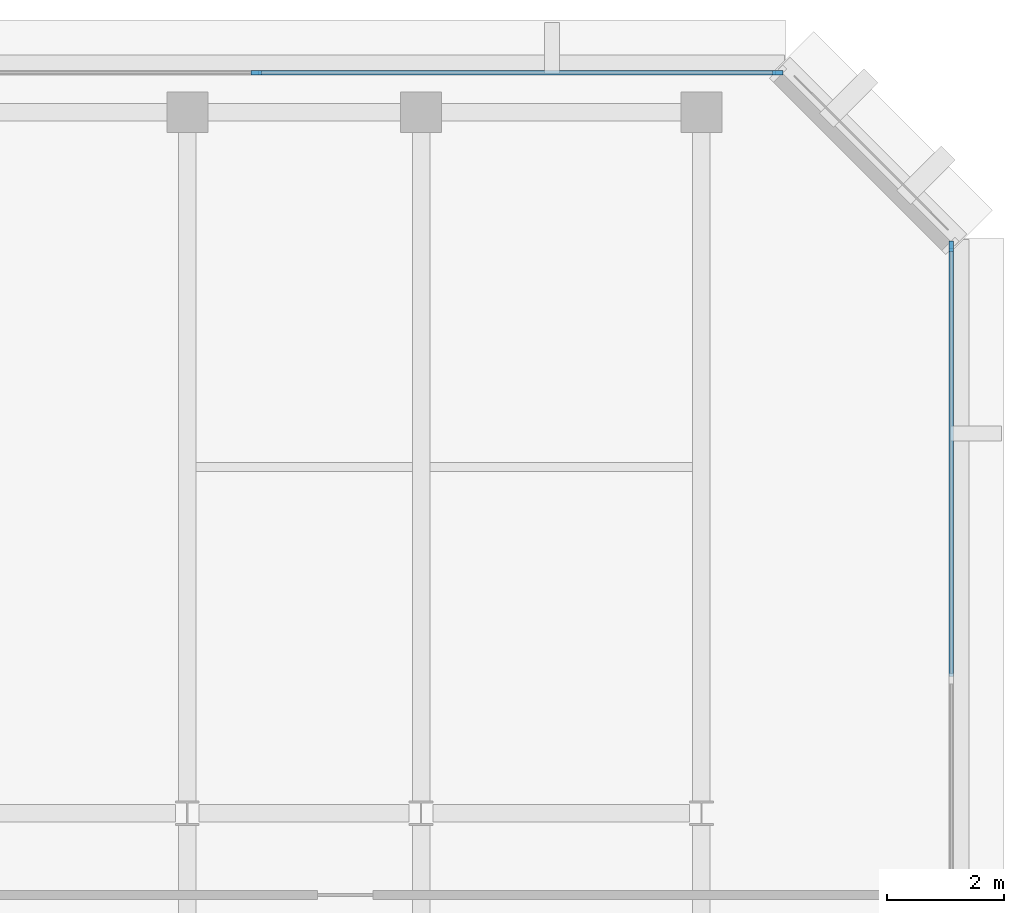
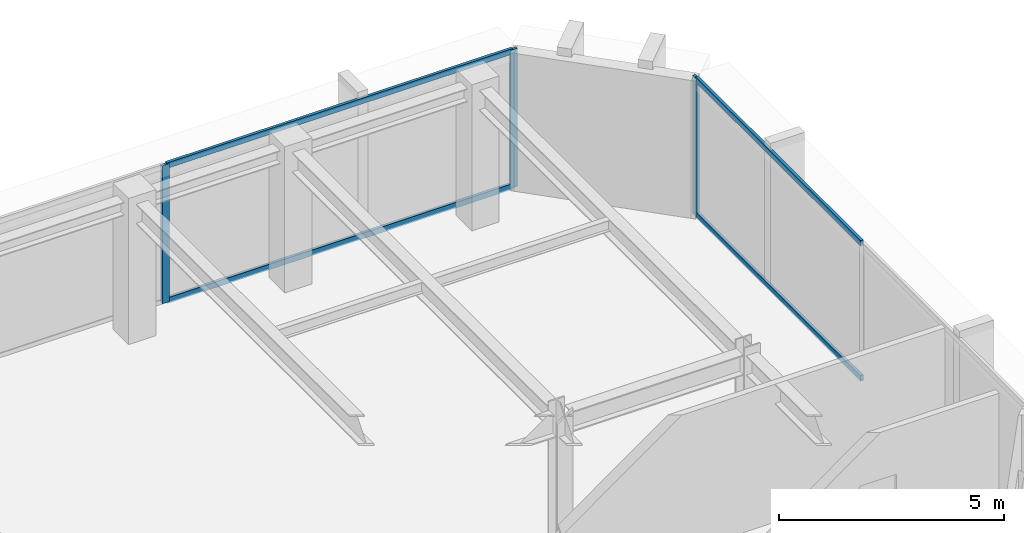
# One storey, part 5 of 11: 7 members, 2 elements without a shape of their own.
"""IFC4 building model written with IfcOpenShell, lengths in metres."""

from ifc_helpers import new_model, si_unit, direction, frame, origin, origin_2d, place, context, subcontext, project, spatial, rectangle, extrude, material, layer, layer_set, material_profile, profile_set, type_object, element, aggregate, save


model = new_model("IFC4")

# Units and contexts
model_context = context("Model", 3, precision=1e-05, world=origin(), true_north=direction((0.0, 1.0)))
body_context = subcontext(model_context, "Body", "Model", "MODEL_VIEW")
ifc_project = project(units=[si_unit("LENGTHUNIT", "METRE"), si_unit("AREAUNIT", "SQUARE_METRE"), si_unit("VOLUMEUNIT", "CUBIC_METRE"), si_unit("PLANEANGLEUNIT", "RADIAN"), si_unit("MASSUNIT", "GRAM", prefix="KILO")], contexts=[model_context])

# Site, building, storey
site_placement = place(None, origin())
site = spatial("IfcSite", under=ifc_project, at=site_placement, CompositionType="ELEMENT")
building_placement = place(site_placement, origin())
building = spatial("IfcBuilding", under=site, at=building_placement, Name="Kefirva Bronze Tower", CompositionType="ELEMENT")
storey_placement = place(building_placement, frame((0.0, 0.0, 335.610107421875)))
storey = spatial("IfcBuildingStorey", under=building, at=storey_placement, Name="L82", CompositionType="ELEMENT", Elevation=335.610107421875)

# Curtain wall, member
ifc_material = material(Name="Bronze anodised aluminium", Category="aluminium")
ifc_layer = layer(ifc_material, 0.179931640625, Name="Bronze anodised aluminium")
ifc_layer_set = layer_set([ifc_layer], Name="Bronze anodised aluminium")
curtain_wall_type = type_object("IfcCurtainWallType", Name="Unitised Bronze Ribbon Curtain Wall Zone 4", PredefinedType="USERDEFINED", material=ifc_layer_set)
curtain_wall_1_placement = place(storey_placement, origin())
curtain_wall_1 = element("IfcCurtainWall", 1, at=curtain_wall_1_placement, inside=storey, type_object=curtain_wall_type, Name="L82 Curtain Wall 3", ObjectType="UNITISED CURTAIN WALL", PredefinedType="USERDEFINED")
ifc_material_profile_1 = material_profile(ifc_material, rectangle(XDim=0.074951171875, YDim=0.179931640625, at=origin_2d()), Name="ALU 75x180")
ifc_profile_set_1 = profile_set([ifc_material_profile_1], Name="Bronze anodised aluminium")
member_type_1 = type_object("IfcMemberType", Name="Bronze Mullion 75x180", PredefinedType="MULLION", material=ifc_profile_set_1)
member_1_placement = place(storey_placement, frame((44.280029296875, 42.907470703125, 0.0), z_axis=(0.0, 0.0, 1.0), x_axis=(-1.0, 0.0, 0.0)))
member_1 = element("IfcMember", 2, at=member_1_placement, type_object=member_type_1, Name="CW-04 mullion 3", PredefinedType="MULLION", context=body_context, shape_type="SweptSolid", body=[
    extrude(rectangle(XDim=0.074951171875, YDim=0.179931640625, at=origin_2d()), origin(), (0.0, 0.0, 1.0), 3.739990234375),
])

# Curtain wall, members
curtain_wall_2_placement = place(storey_placement, origin())
curtain_wall_2 = element("IfcCurtainWall", 3, at=curtain_wall_2_placement, inside=storey, type_object=curtain_wall_type, Name="L82 Curtain Wall 4", ObjectType="UNITISED CURTAIN WALL", PredefinedType="USERDEFINED")
member_2_placement = place(storey_placement, frame((41.3076171875, 45.8798828125, 0.0), z_axis=(0.0, 0.0, 1.0), x_axis=(0.0, -1.0, 0.0)))
member_2 = element("IfcMember", 4, at=member_2_placement, type_object=member_type_1, Name="CW-04 mullion 1", PredefinedType="MULLION", context=body_context, shape_type="SweptSolid", body=[
    extrude(rectangle(XDim=0.074951171875, YDim=0.179931640625, at=origin_2d()), origin(), (0.0, 0.0, 1.0), 3.739990234375),
])
member_3_placement = place(storey_placement, frame((32.375, 45.8798828125, 0.0), z_axis=(0.0, 0.0, 1.0), x_axis=(0.0, -1.0, 0.0)))
member_3 = element("IfcMember", 5, at=member_3_placement, type_object=member_type_1, Name="CW-04 mullion 2", PredefinedType="MULLION", context=body_context, shape_type="SweptSolid", body=[
    extrude(rectangle(XDim=0.074951171875, YDim=0.179931640625, at=origin_2d()), origin(), (0.0, 0.0, 1.0), 3.739990234375),
])

# Member
ifc_material_profile_2 = material_profile(ifc_material, rectangle(XDim=0.074951171875, YDim=0.14990234375, at=origin_2d()), Name="ALU 75x150")
ifc_profile_set_2 = profile_set([ifc_material_profile_2], Name="Bronze anodised aluminium")
member_type_2 = type_object("IfcMemberType", Name="Bronze Transom 75x150", PredefinedType="USERDEFINED", material=ifc_profile_set_2)
member_4_placement = place(storey_placement, frame((44.280029296875, 35.53759765625, 0.037353515625), z_axis=(0.0, 1.0, 0.0), x_axis=(-1.0, 0.0, 0.0)))
member_4 = element("IfcMember", 6, at=member_4_placement, type_object=member_type_2, Name="CW-04 transom 2.1", ObjectType="TRANSOM", PredefinedType="USERDEFINED", context=body_context, shape_type="SweptSolid", body=[
    extrude(rectangle(XDim=0.074951171875, YDim=0.14990234375, at=origin_2d()), origin(), (0.0, 0.0, 1.0), 7.33251953125),
])

member_5_placement = place(storey_placement, frame((44.280029296875, 35.53759765625, 3.702392578125), z_axis=(0.0, 1.0, 0.0), x_axis=(-1.0, 0.0, 0.0)))
member_5 = element("IfcMember", 7, at=member_5_placement, type_object=member_type_2, Name="CW-04 transom 2.2", ObjectType="TRANSOM", PredefinedType="USERDEFINED", context=body_context, shape_type="SweptSolid", body=[
    extrude(rectangle(XDim=0.074951171875, YDim=0.14990234375, at=origin_2d()), origin(), (0.0, 0.0, 1.0), 7.33251953125),
])

aggregate(curtain_wall_1, [member_1, member_4, member_5])

member_6_placement = place(storey_placement, frame((41.27001953125, 45.8798828125, 0.037353515625), z_axis=(-1.0, 0.0, 0.0), x_axis=(0.0, -1.0, 0.0)))
member_6 = element("IfcMember", 8, at=member_6_placement, type_object=member_type_2, Name="CW-04 transom 1.1", ObjectType="TRANSOM", PredefinedType="USERDEFINED", context=body_context, shape_type="SweptSolid", body=[
    extrude(rectangle(XDim=0.074951171875, YDim=0.14990234375, at=origin_2d()), origin(), (0.0, 0.0, 1.0), 8.857421875),
])

member_7_placement = place(storey_placement, frame((41.27001953125, 45.8798828125, 3.702392578125), z_axis=(-1.0, 0.0, 0.0), x_axis=(0.0, -1.0, 0.0)))
member_7 = element("IfcMember", 9, at=member_7_placement, type_object=member_type_2, Name="CW-04 transom 1.2", ObjectType="TRANSOM", PredefinedType="USERDEFINED", context=body_context, shape_type="SweptSolid", body=[
    extrude(rectangle(XDim=0.074951171875, YDim=0.14990234375, at=origin_2d()), origin(), (0.0, 0.0, 1.0), 8.857421875),
])

aggregate(curtain_wall_2, [member_2, member_3, member_6, member_7])

save(model, "model.ifc")
